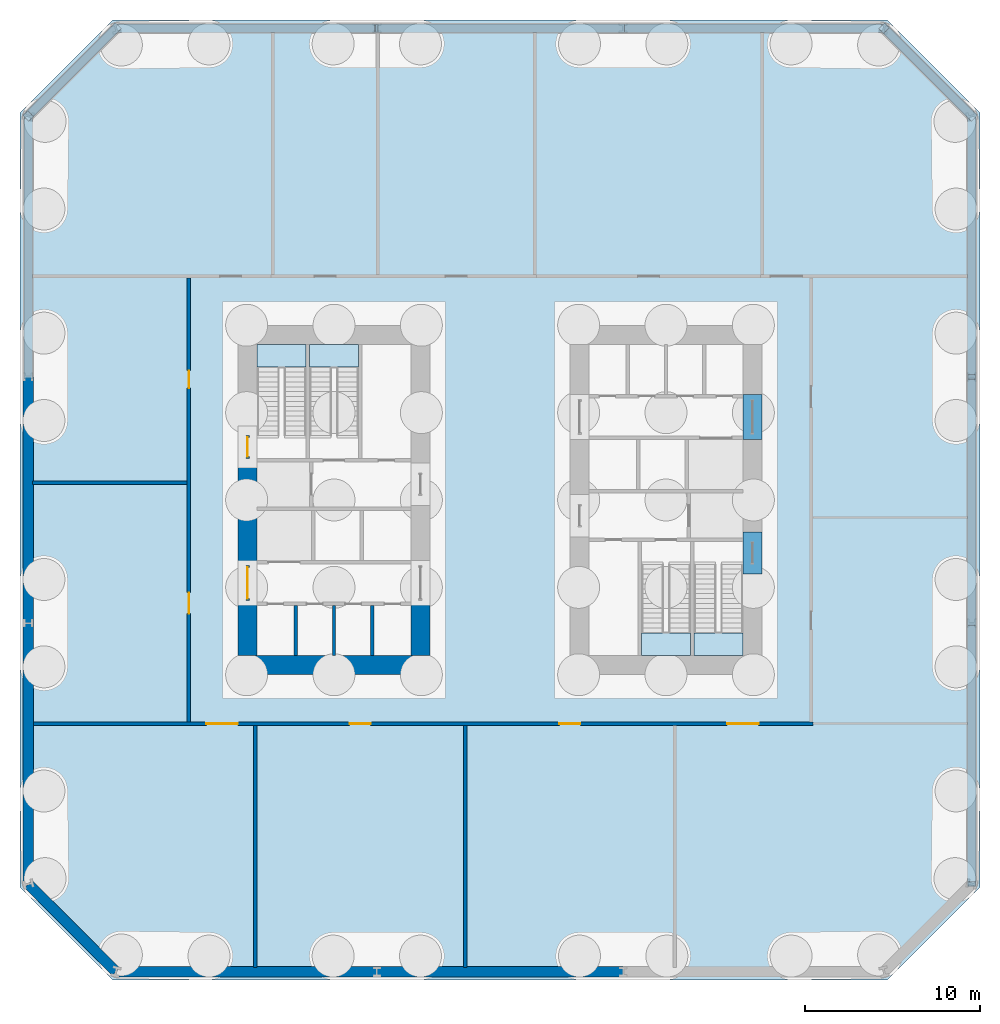
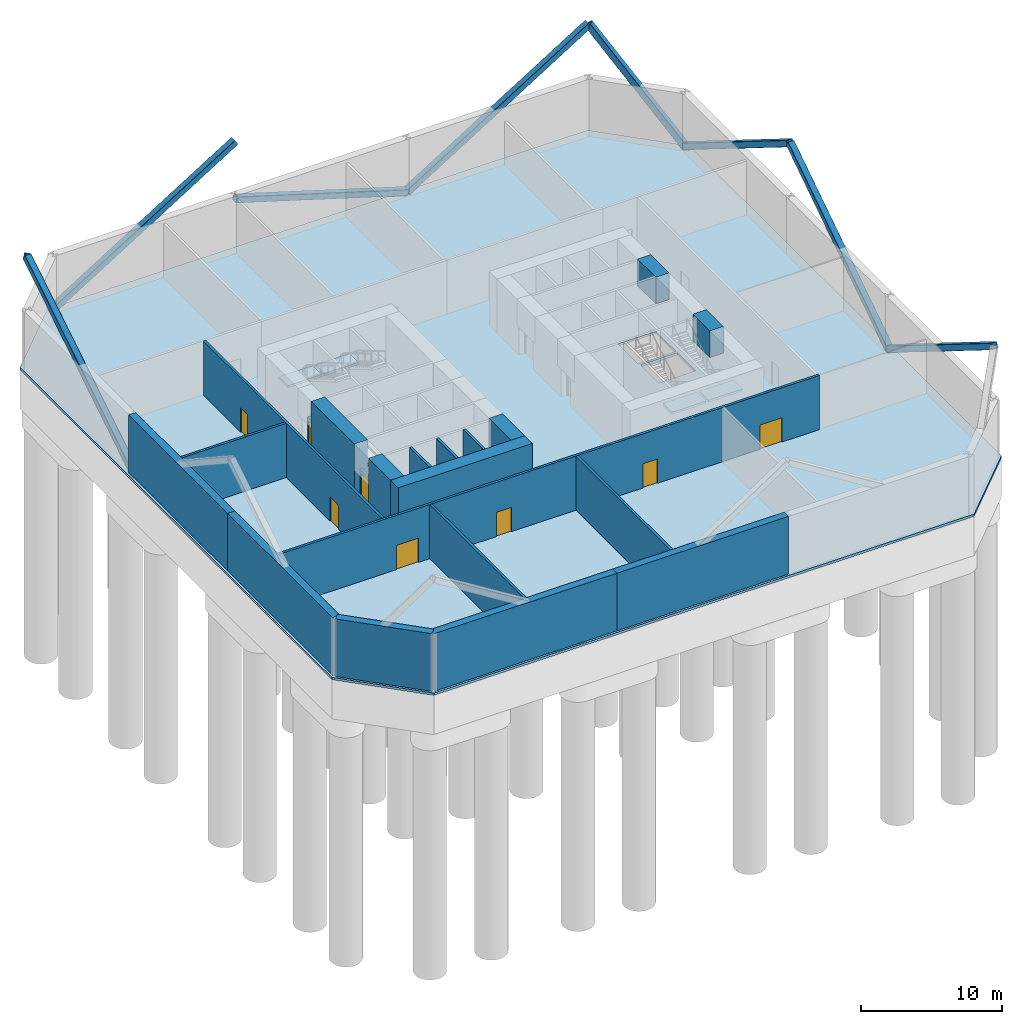
# One storey, part 3 of 7: 19 walls, 9 members, 8 doors, 5 slabs, 2 beams, 8 openings, 4 elements without a shape of their own.
"""IFC4 building model written with IfcOpenShell, lengths in metres."""

from ifc_helpers import new_model, si_unit, direction, frame, frame_2d, origin, origin_2d, place, context, subcontext, project, spatial, polyline, rectangle, hollow_rectangle, outline, extrude, material, layer, layer_set, material_profile, profile_set, type_object, element, fill, aggregate, save


model = new_model("IFC4")

# Units and contexts
model_context = context("Model", 3, precision=1e-05, world=origin(), true_north=direction((0.0, 1.0)))
body_context = subcontext(model_context, "Body", "Model", "MODEL_VIEW")
ifc_project = project(units=[si_unit("LENGTHUNIT", "METRE"), si_unit("AREAUNIT", "SQUARE_METRE"), si_unit("VOLUMEUNIT", "CUBIC_METRE"), si_unit("PLANEANGLEUNIT", "RADIAN"), si_unit("MASSUNIT", "GRAM", prefix="KILO")], contexts=[model_context])

# Site, building, storey
site_placement = place(None, origin())
site = spatial("IfcSite", under=ifc_project, at=site_placement, CompositionType="ELEMENT")
building_placement = place(site_placement, origin())
building = spatial("IfcBuilding", under=site, at=building_placement, Name="Millrace Tower", CompositionType="ELEMENT")
storey_placement = place(building_placement, frame((0.0, 0.0, -10.0)))
storey = spatial("IfcBuildingStorey", under=building, at=storey_placement, Name="B2", CompositionType="ELEMENT", Elevation=-10.0)

# Beams
ifc_material_1 = material(Name="Concrete C80", Category="concrete")
ifc_material_profile_1 = material_profile(ifc_material_1, rectangle(XDim=1.10009765625, YDim=2.300048828125, at=origin_2d()))
ifc_profile_set_1 = profile_set([ifc_material_profile_1], Name="Concrete C80")
beam_type_1 = type_object("IfcBeamType", Name="Coupling beam 1100 x 2300 Concrete C80, 1300 opening", PredefinedType="BEAM", material=ifc_profile_set_1)
beam_1_placement = place(storey_placement, frame((14.449951171875, -1.822509765625, 3.550048828125), z_axis=(0.0, -1.0, 0.0), x_axis=(1.0, 0.0, 0.0)))
element("IfcBeam", 1, at=beam_1_placement, inside=storey, type_object=beam_type_1, Name="Coupling beam E B2", PredefinedType="BEAM", context=body_context, shape_type="SweptSolid", body=[
    extrude(rectangle(XDim=1.10009765625, YDim=2.300048828125, at=origin_2d()), origin(), (0.0, 0.0, 1.0), 2.4150390625),
])
ifc_material_2 = material(Name="Concrete C80", Category="concrete")
ifc_material_profile_2 = material_profile(ifc_material_2, rectangle(XDim=1.10009765625, YDim=2.300048828125, at=origin_2d()))
ifc_profile_set_2 = profile_set([ifc_material_profile_2], Name="Concrete C80")
beam_type_2 = type_object("IfcBeamType", Name="Coupling beam 1100 x 2300 Concrete C80, 2000 opening", PredefinedType="BEAM", material=ifc_profile_set_2)
beam_2_placement = place(storey_placement, frame((14.449951171875, 6.050048828125, 3.550048828125), z_axis=(0.0, -1.0, 0.0), x_axis=(1.0, 0.0, 0.0)))
element("IfcBeam", 2, at=beam_2_placement, inside=storey, type_object=beam_type_2, Name="Coupling beam E B2", PredefinedType="BEAM", context=body_context, shape_type="SweptSolid", body=[
    extrude(rectangle(XDim=1.10009765625, YDim=2.300048828125, at=origin_2d()), origin(), (0.0, 0.0, 1.0), 2.60009765625),
])

# Members
ifc_material_3 = material(Name="Steel ASTM A500 Grade C", Category="steel")
ifc_material_profile_3 = material_profile(ifc_material_3, hollow_rectangle(XDim=0.508056640625, YDim=0.508056640625, WallThickness=0.022216796875, InnerFilletRadius=0.01123046875, OuterFilletRadius=0.033447265625, at=origin_2d()))
ifc_profile_set_3 = profile_set([ifc_material_profile_3], Name="Steel ASTM A500 Grade C")
member_type = type_object("IfcMemberType", Name="Exoskeleton brace HSS20x20x7/8", PredefinedType="BRACE", material=ifc_profile_set_3)
member_1_placement = place(storey_placement, frame((27.0, -7.050048828125, 0.300048828125), z_axis=(0.0, -0.84877020522, 0.528761892283), x_axis=(1.0, 0.0, 0.0)))
element("IfcMember", 3, at=member_1_placement, inside=storey, type_object=member_type, Name="BRC-BASE-B2-06", PredefinedType="BRACE", context=body_context, shape_type="SweptSolid", body=[
    extrude(hollow_rectangle(XDim=0.508056640625, YDim=0.508056640625, WallThickness=0.022216796875, InnerFilletRadius=0.01123046875, OuterFilletRadius=0.033447265625, at=origin_2d()), origin(), (0.0, 0.0, 1.0), 17.58837890625),
])
member_2_placement = place(storey_placement, frame((27.0, -7.050048828125, 0.300048828125), z_axis=(0.0, 0.8347731032, 0.550594102923), x_axis=(-1.0, 0.0, 0.0)))
element("IfcMember", 4, at=member_2_placement, inside=storey, type_object=member_type, Name="BRC-BASE-B2-07", PredefinedType="BRACE", context=body_context, shape_type="SweptSolid", body=[
    extrude(hollow_rectangle(XDim=0.508056640625, YDim=0.508056640625, WallThickness=0.022216796875, InnerFilletRadius=0.01123046875, OuterFilletRadius=0.033447265625, at=origin_2d()), origin(), (0.0, 0.0, 1.0), 16.890869140625),
])
member_3_placement = place(storey_placement, frame((27.0, 21.978515625, 0.300048828125), z_axis=(0.0, -0.84877020522, 0.528761892283), x_axis=(1.0, 0.0, 0.0)))
element("IfcMember", 5, at=member_3_placement, inside=storey, type_object=member_type, Name="BRC-BASE-B2-08", PredefinedType="BRACE", context=body_context, shape_type="SweptSolid", body=[
    extrude(hollow_rectangle(XDim=0.508056640625, YDim=0.508056640625, WallThickness=0.022216796875, InnerFilletRadius=0.01123046875, OuterFilletRadius=0.033447265625, at=origin_2d()), origin(), (0.0, 0.0, 1.0), 17.58837890625),
])
member_4_placement = place(storey_placement, frame((27.0, 21.978515625, 0.300048828125), z_axis=(-0.429137297225, 0.429137297225, 0.794784474094), x_axis=(-0.707106781187, -0.707106781187, 0.0)))
element("IfcMember", 6, at=member_4_placement, inside=storey, type_object=member_type, Name="BRC-BASE-B2-09", PredefinedType="BRACE", context=body_context, shape_type="SweptSolid", body=[
    extrude(hollow_rectangle(XDim=0.508056640625, YDim=0.508056640625, WallThickness=0.022216796875, InnerFilletRadius=0.01123046875, OuterFilletRadius=0.033447265625, at=origin_2d()), origin(), (0.0, 0.0, 1.0), 11.701416015625),
])
member_5_placement = place(storey_placement, frame((7.050048828125, 27.0, 0.300048828125), z_axis=(0.84877020522, 0.0, 0.528761892283), x_axis=(0.0, 1.0, 0.0)))
element("IfcMember", 7, at=member_5_placement, inside=storey, type_object=member_type, Name="BRC-BASE-B2-10", PredefinedType="BRACE", context=body_context, shape_type="SweptSolid", body=[
    extrude(hollow_rectangle(XDim=0.508056640625, YDim=0.508056640625, WallThickness=0.022216796875, InnerFilletRadius=0.01123046875, OuterFilletRadius=0.033447265625, at=origin_2d()), origin(), (0.0, 0.0, 1.0), 17.58837890625),
])
member_6_placement = place(storey_placement, frame((7.050048828125, 27.0, 0.300048828125), z_axis=(-0.95650905519, 0.0, 0.291702635126), x_axis=(0.0, -1.0, 0.0)))
element("IfcMember", 8, at=member_6_placement, inside=storey, type_object=member_type, Name="BRC-BASE-B2-11", PredefinedType="BRACE", context=body_context, shape_type="SweptSolid", body=[
    extrude(hollow_rectangle(XDim=0.508056640625, YDim=0.508056640625, WallThickness=0.022216796875, InnerFilletRadius=0.01123046875, OuterFilletRadius=0.033447265625, at=origin_2d()), origin(), (0.0, 0.0, 1.0), 14.7412109375),
])
member_7_placement = place(storey_placement, frame((-21.978515625, 27.0, 0.300048828125), z_axis=(0.84877020522, 0.0, 0.528761892283), x_axis=(0.0, 1.0, 0.0)))
element("IfcMember", 9, at=member_7_placement, inside=storey, type_object=member_type, Name="BRC-BASE-B2-12", PredefinedType="BRACE", context=body_context, shape_type="SweptSolid", body=[
    extrude(hollow_rectangle(XDim=0.508056640625, YDim=0.508056640625, WallThickness=0.022216796875, InnerFilletRadius=0.01123046875, OuterFilletRadius=0.033447265625, at=origin_2d()), origin(), (0.0, 0.0, 1.0), 17.58837890625),
])
member_8_placement = place(storey_placement, frame((-21.978515625, 27.0, 0.300048828125), z_axis=(-0.429137297225, -0.429137297225, 0.794784474094), x_axis=(0.707106781187, -0.707106781187, 0.0)))
element("IfcMember", 10, at=member_8_placement, inside=storey, type_object=member_type, Name="BRC-BASE-B2-13", PredefinedType="BRACE", context=body_context, shape_type="SweptSolid", body=[
    extrude(hollow_rectangle(XDim=0.508056640625, YDim=0.508056640625, WallThickness=0.022216796875, InnerFilletRadius=0.01123046875, OuterFilletRadius=0.033447265625, at=origin_2d()), origin(), (0.0, 0.0, 1.0), 11.701416015625),
])
member_9_placement = place(storey_placement, frame((-27.0, 7.050048828125, 0.300048828125), z_axis=(0.0, 0.84877020522, 0.528761892283), x_axis=(-1.0, 0.0, 0.0)))
element("IfcMember", 11, at=member_9_placement, inside=storey, type_object=member_type, Name="BRC-BASE-B2-14", PredefinedType="BRACE", context=body_context, shape_type="SweptSolid", body=[
    extrude(hollow_rectangle(XDim=0.508056640625, YDim=0.508056640625, WallThickness=0.022216796875, InnerFilletRadius=0.01123046875, OuterFilletRadius=0.033447265625, at=origin_2d()), origin(), (0.0, 0.0, 1.0), 17.58837890625),
])

# Slab
ifc_material_4 = material(Name="Concrete C35", Category="concrete")
ifc_layer_1 = layer(ifc_material_4, 0.199951171875)
ifc_layer_set_1 = layer_set([ifc_layer_1], Name="Concrete C35")
slab_type_1 = type_object("IfcSlabType", Name="Basement floor slab 200 mm", PredefinedType="BASESLAB", material=ifc_layer_set_1)
slab_1_placement = place(storey_placement, frame((0.0, 0.0, -0.199951171875)))
element("IfcSlab", 12, at=slab_1_placement, inside=storey, type_object=slab_type_1, Name="SL-BASE-B2-FLOOR", PredefinedType="BASESLAB", context=body_context, shape_type="SweptSolid", body=[
    extrude(outline(polyline([(-27.469970703125, -22.173095703125), (-22.173095703125, -27.469970703125), (22.173095703125, -27.469970703125), (27.469970703125, -22.173095703125), (27.469970703125, 22.173095703125), (22.173095703125, 27.469970703125), (-22.173095703125, 27.469970703125), (-27.469970703125, 22.173095703125), (-27.469970703125, -22.173095703125)]), holes=[polyline([(-13.89990234375, -3.449951171875), (-10.800048828125, -3.449951171875), (-10.800048828125, -0.60009765625), (-13.89990234375, -0.60009765625), (-13.89990234375, -3.449951171875)]), polyline([(-13.89990234375, -0.39990234375), (-10.89990234375, -0.39990234375), (-10.89990234375, 2.179931640625), (-13.89990234375, 2.179931640625), (-13.89990234375, -0.39990234375)]), polyline([(10.800048828125, 0.60009765625), (13.89990234375, 0.60009765625), (13.89990234375, 3.449951171875), (10.800048828125, 3.449951171875), (10.800048828125, 0.60009765625)]), polyline([(10.89990234375, -2.179931640625), (13.89990234375, -2.179931640625), (13.89990234375, 0.39990234375), (10.89990234375, 0.39990234375), (10.89990234375, -2.179931640625)])]), origin(), (0.0, 0.0, 1.0), 0.199951171875),
])

# Stair, slab
ifc_material_5 = material(Name="Concrete C35", Category="concrete")
stair_type = type_object("IfcStairType", Name="Exit stair", PredefinedType="HALF_TURN_STAIR", material=ifc_material_5)
placement_1 = place(storey_placement, origin())
stair_1 = element("IfcStair", 13, at=placement_1, inside=storey, type_object=stair_type, Name="Stair 1 W B2", PredefinedType="HALF_TURN_STAIR")
ifc_material_6 = material(Name="Concrete C40", Category="concrete")
ifc_layer_2 = layer(ifc_material_6, 0.199951171875)
ifc_layer_set_2 = layer_set([ifc_layer_2], Name="Concrete C40")
slab_type_2 = type_object("IfcSlabType", Name="Stair landing", PredefinedType="LANDING", material=ifc_layer_set_2)
placement_2 = place(storey_placement, frame((0.0, 0.0, 2.300048828125)))
slab_2 = element("IfcSlab", 14, at=placement_2, type_object=slab_type_2, Name="ST12 landing 1", PredefinedType="LANDING", context=body_context, shape_type="SweptSolid", body=[
    extrude(outline(polyline([(-13.89990234375, 7.60009765625), (-11.10009765625, 7.60009765625), (-11.10009765625, 8.89990234375), (-13.89990234375, 8.89990234375), (-13.89990234375, 7.60009765625)])), origin(), (0.0, 0.0, 1.0), 0.199951171875),
])
aggregate(stair_1, [slab_2])

stair_2 = element("IfcStair", 15, at=placement_1, inside=storey, type_object=stair_type, Name="Stair 2 W B2", PredefinedType="HALF_TURN_STAIR")
slab_3 = element("IfcSlab", 16, at=placement_2, type_object=slab_type_2, Name="ST12 landing 1", PredefinedType="LANDING", context=body_context, shape_type="SweptSolid", body=[
    extrude(outline(polyline([(-10.89990234375, 7.60009765625), (-8.10009765625, 7.60009765625), (-8.10009765625, 8.89990234375), (-10.89990234375, 8.89990234375), (-10.89990234375, 7.60009765625)])), origin(), (0.0, 0.0, 1.0), 0.199951171875),
])
aggregate(stair_2, [slab_3])

stair_3 = element("IfcStair", 17, at=placement_1, inside=storey, type_object=stair_type, Name="Stair 1 E B2", PredefinedType="HALF_TURN_STAIR")
slab_4 = element("IfcSlab", 18, at=placement_2, type_object=slab_type_2, Name="ST12 landing 1", PredefinedType="LANDING", context=body_context, shape_type="SweptSolid", body=[
    extrude(outline(polyline([(11.10009765625, -8.89990234375), (13.89990234375, -8.89990234375), (13.89990234375, -7.60009765625), (11.10009765625, -7.60009765625), (11.10009765625, -8.89990234375)])), origin(), (0.0, 0.0, 1.0), 0.199951171875),
])
aggregate(stair_3, [slab_4])

stair_4 = element("IfcStair", 19, at=placement_1, inside=storey, type_object=stair_type, Name="Stair 2 E B2", PredefinedType="HALF_TURN_STAIR")
slab_5 = element("IfcSlab", 20, at=placement_2, type_object=slab_type_2, Name="ST12 landing 1", PredefinedType="LANDING", context=body_context, shape_type="SweptSolid", body=[
    extrude(outline(polyline([(8.10009765625, -8.89990234375), (10.89990234375, -8.89990234375), (10.89990234375, -7.60009765625), (8.10009765625, -7.60009765625), (8.10009765625, -8.89990234375)])), origin(), (0.0, 0.0, 1.0), 0.199951171875),
])
aggregate(stair_4, [slab_5])

# Walls
ifc_material_7 = material(Name="Concrete C40", Category="concrete")
ifc_layer_3 = layer(ifc_material_7, 0.60009765625)
ifc_layer_set_3 = layer_set([ifc_layer_3], Name="Concrete C40")
wall_type_1 = type_object("IfcWallType", Name="Basement retaining wall 600 mm", PredefinedType="SOLIDWALL", material=ifc_layer_set_3)
wall_1_placement = place(storey_placement, frame((-27.0, -21.978515625, 0.0), z_axis=(0.0, 0.0, 1.0), x_axis=(0.707106781187, -0.707106781187, 0.0)))
element("IfcWall", 21, at=wall_1_placement, inside=storey, type_object=wall_type_1, Name="BW-A-B2-01", PredefinedType="SOLIDWALL", context=body_context, shape_type="SweptSolid", body=[
    extrude(rectangle(XDim=7.1015625, YDim=0.60009765625, at=frame_2d((3.55078125, 0.0))), origin(), (0.0, 0.0, 1.0), 5.0),
])
wall_2_placement = place(storey_placement, frame((-21.978515625, -27.0, 0.0), z_axis=(0.0, 0.0, 1.0), x_axis=(1.0, 0.0, 0.0)))
element("IfcWall", 22, at=wall_2_placement, inside=storey, type_object=wall_type_1, Name="BW-A-B2-02", PredefinedType="SOLIDWALL", context=body_context, shape_type="SweptSolid", body=[
    extrude(rectangle(XDim=14.928466796875, YDim=0.60009765625, at=frame_2d((7.46435546875, 0.0))), origin(), (0.0, 0.0, 1.0), 5.0),
])
wall_3_placement = place(storey_placement, frame((-7.050048828125, -27.0, 0.0), z_axis=(0.0, 0.0, 1.0), x_axis=(1.0, 0.0, 0.0)))
element("IfcWall", 23, at=wall_3_placement, inside=storey, type_object=wall_type_1, Name="BW-A-B2-03", PredefinedType="SOLIDWALL", context=body_context, shape_type="SweptSolid", body=[
    extrude(rectangle(XDim=14.10009765625, YDim=0.60009765625, at=frame_2d((7.050048828125, 0.0))), origin(), (0.0, 0.0, 1.0), 5.0),
])
wall_4_placement = place(storey_placement, frame((-27.0, 7.050048828125, 0.0), z_axis=(0.0, 0.0, 1.0), x_axis=(0.0, -1.0, 0.0)))
element("IfcWall", 24, at=wall_4_placement, inside=storey, type_object=wall_type_1, Name="BW-A-B2-15", PredefinedType="SOLIDWALL", context=body_context, shape_type="SweptSolid", body=[
    extrude(rectangle(XDim=14.10009765625, YDim=0.60009765625, at=frame_2d((7.050048828125, 0.0))), origin(), (0.0, 0.0, 1.0), 5.0),
])
wall_5_placement = place(storey_placement, frame((-27.0, -7.050048828125, 0.0), z_axis=(0.0, 0.0, 1.0), x_axis=(0.0, -1.0, 0.0)))
element("IfcWall", 25, at=wall_5_placement, inside=storey, type_object=wall_type_1, Name="BW-A-B2-16", PredefinedType="SOLIDWALL", context=body_context, shape_type="SweptSolid", body=[
    extrude(rectangle(XDim=14.928466796875, YDim=0.60009765625, at=frame_2d((7.46435546875, 0.0))), origin(), (0.0, 0.0, 1.0), 5.0),
])
ifc_material_8 = material(Name="Concrete C80", Category="concrete")
ifc_layer_4 = layer(ifc_material_8, 1.10009765625)
ifc_layer_set_4 = layer_set([ifc_layer_4], Name="Concrete C80")
wall_type_2 = type_object("IfcWallType", Name="Core wall 1100 Concrete C80", PredefinedType="SHEAR", material=ifc_layer_set_4)
wall_6_placement = place(storey_placement, frame((-15.0, -9.449951171875, 0.0), z_axis=(0.0, 0.0, 1.0), x_axis=(1.0, 0.0, 0.0)))
element("IfcWall", 26, at=wall_6_placement, inside=storey, type_object=wall_type_2, Name="Core wall W B2", PredefinedType="SHEAR", context=body_context, shape_type="SweptSolid", body=[
    extrude(rectangle(XDim=11.0, YDim=1.10009765625, at=frame_2d((5.5, 0.0))), origin(), (0.0, 0.0, 1.0), 4.699951171875),
])
wall_7_placement = place(storey_placement, frame((-14.449951171875, -8.89990234375, 0.0), z_axis=(0.0, 0.0, 1.0), x_axis=(0.0, 1.0, 0.0)))
element("IfcWall", 27, at=wall_7_placement, inside=storey, type_object=wall_type_2, Name="Core wall W B2", PredefinedType="SHEAR", context=body_context, shape_type="SweptSolid", body=[
    extrude(rectangle(XDim=3.14990234375, YDim=1.10009765625, at=frame_2d((1.574951171875, 0.0))), origin(), (0.0, 0.0, 1.0), 4.699951171875),
])
wall_8_placement = place(storey_placement, frame((-14.449951171875, -3.75, 0.0), z_axis=(0.0, 0.0, 1.0), x_axis=(0.0, 1.0, 0.0)))
element("IfcWall", 28, at=wall_8_placement, inside=storey, type_object=wall_type_2, Name="Core wall W B2", PredefinedType="SHEAR", context=body_context, shape_type="SweptSolid", body=[
    extrude(rectangle(XDim=6.1298828125, YDim=1.10009765625, at=frame_2d((3.06494140625, 0.0))), origin(), (0.0, 0.0, 1.0), 4.699951171875),
])
wall_9_placement = place(storey_placement, frame((-4.550048828125, -8.89990234375, 0.0), z_axis=(0.0, 0.0, 1.0), x_axis=(0.0, 1.0, 0.0)))
element("IfcWall", 29, at=wall_9_placement, inside=storey, type_object=wall_type_2, Name="Core wall W B2", PredefinedType="SHEAR", context=body_context, shape_type="SweptSolid", body=[
    extrude(rectangle(XDim=3.14990234375, YDim=1.10009765625, at=frame_2d((1.574951171875, 0.0))), origin(), (0.0, 0.0, 1.0), 4.699951171875),
])

# Wall, openings, doors
ifc_material_9 = material(Name="Masonry partition, fire-rated", Category="masonry")
ifc_layer_5 = layer(ifc_material_9, 0.199951171875)
ifc_layer_set_5 = layer_set([ifc_layer_5], Name="Masonry partition, fire-rated")
wall_type_3 = type_object("IfcWallType", Name="Corridor wall 200", PredefinedType="PARTITIONING", material=ifc_layer_set_5)
wall_10_placement = place(storey_placement, frame((-26.75, -12.800048828125, 0.0), z_axis=(0.0, 0.0, 1.0), x_axis=(1.0, 0.0, 0.0)))
wall_10 = element("IfcWall", 30, at=wall_10_placement, inside=storey, type_object=wall_type_3, Name="Corridor wall B2", PredefinedType="PARTITIONING", context=body_context, shape_type="SweptSolid", body=[
    extrude(rectangle(XDim=44.64990234375, YDim=0.199951171875, at=frame_2d((22.324951171875, 0.0))), origin(), (0.0, 0.0, 1.0), 4.699951171875),
])
opening_1_placement = place(wall_10_placement, frame((9.945068359375, 0.0, 0.0)))
opening_1 = element("IfcOpeningElement", 31, at=opening_1_placement, cuts=wall_10, Name="Opening B2-P006", PredefinedType="OPENING", context=body_context, shape_type="SweptSolid", body=[
    extrude(rectangle(XDim=1.800048828125, YDim=2.10009765625, at=frame_2d((0.89990234375, 1.050048828125))), frame((0.0, 0.10986328125, 0.0), z_axis=(0.0, -1.0, 0.0), x_axis=(1.0, 0.0, 0.0)), (0.0, 0.0, 1.0), 0.219970703125),
])
opening_2_placement = place(wall_10_placement, frame((18.14990234375, 0.0, 0.0)))
opening_2 = element("IfcOpeningElement", 32, at=opening_2_placement, cuts=wall_10, Name="Opening B2-P007", PredefinedType="OPENING", context=body_context, shape_type="SweptSolid", body=[
    extrude(rectangle(XDim=1.199951171875, YDim=2.10009765625, at=frame_2d((0.60009765625, 1.050048828125))), frame((0.0, 0.10986328125, 0.0), z_axis=(0.0, -1.0, 0.0), x_axis=(1.0, 0.0, 0.0)), (0.0, 0.0, 1.0), 0.219970703125),
])
opening_3_placement = place(wall_10_placement, frame((30.14990234375, 0.0, 0.0)))
opening_3 = element("IfcOpeningElement", 33, at=opening_3_placement, cuts=wall_10, Name="Opening B2-P008", PredefinedType="OPENING", context=body_context, shape_type="SweptSolid", body=[
    extrude(rectangle(XDim=1.199951171875, YDim=2.10009765625, at=frame_2d((0.60009765625, 1.050048828125))), frame((0.0, 0.10986328125, 0.0), z_axis=(0.0, -1.0, 0.0), x_axis=(1.0, 0.0, 0.0)), (0.0, 0.0, 1.0), 0.219970703125),
])
opening_4_placement = place(wall_10_placement, frame((39.7548828125, 0.0, 0.0)))
opening_4 = element("IfcOpeningElement", 34, at=opening_4_placement, cuts=wall_10, Name="Opening B2-P009", PredefinedType="OPENING", context=body_context, shape_type="SweptSolid", body=[
    extrude(rectangle(XDim=1.800048828125, YDim=2.10009765625, at=frame_2d((0.89990234375, 1.050048828125))), frame((0.0, 0.10986328125, 0.0), z_axis=(0.0, -1.0, 0.0), x_axis=(1.0, 0.0, 0.0)), (0.0, 0.0, 1.0), 0.219970703125),
])
ifc_material_10 = material(Name="Steel door set, fire-rated", Category="steel")
door_type_1 = type_object("IfcDoorType", Name="Corridor door 1800 x 2100", OperationType="DOUBLE_DOOR_SINGLE_SWING", PredefinedType="DOOR", material=ifc_material_10)
door_1_placement = place(opening_1_placement, frame((1.800048828125, 0.0, 0.0), z_axis=(0.0, 0.0, 1.0), x_axis=(-1.0, 0.0, 0.0)))
door_1 = element("IfcDoor", 35, at=door_1_placement, inside=storey, type_object=door_type_1, Name="Door B2-P006", OperationType="DOUBLE_DOOR_SINGLE_SWING", OverallHeight=2.10009765625, OverallWidth=1.800048828125, PredefinedType="DOOR", context=body_context, shape_type="SweptSolid", body=[
    extrude(rectangle(XDim=1.800048828125, YDim=2.10009765625, at=frame_2d((0.89990234375, 1.050048828125))), frame((0.0, 0.02490234375, 0.0), z_axis=(0.0, -1.0, 0.0), x_axis=(1.0, 0.0, 0.0)), (0.0, 0.0, 1.0), 0.050048828125),
])
fill(opening_1, door_1)
door_2_placement = place(opening_4_placement, frame((1.800048828125, 0.0, 0.0), z_axis=(0.0, 0.0, 1.0), x_axis=(-1.0, 0.0, 0.0)))
door_2 = element("IfcDoor", 36, at=door_2_placement, inside=storey, type_object=door_type_1, Name="Door B2-P009", OperationType="DOUBLE_DOOR_SINGLE_SWING", OverallHeight=2.10009765625, OverallWidth=1.800048828125, PredefinedType="DOOR", context=body_context, shape_type="SweptSolid", body=[
    extrude(rectangle(XDim=1.800048828125, YDim=2.10009765625, at=frame_2d((0.89990234375, 1.050048828125))), frame((0.0, 0.02490234375, 0.0), z_axis=(0.0, -1.0, 0.0), x_axis=(1.0, 0.0, 0.0)), (0.0, 0.0, 1.0), 0.050048828125),
])
fill(opening_4, door_2)
ifc_material_11 = material(Name="Steel door set, fire-rated", Category="steel")
door_type_2 = type_object("IfcDoorType", Name="Plant room door 1200 x 2100", OperationType="SINGLE_SWING_LEFT", PredefinedType="DOOR", material=ifc_material_11)
door_3_placement = place(opening_2_placement, frame((1.199951171875, 0.0, 0.0), z_axis=(0.0, 0.0, 1.0), x_axis=(-1.0, 0.0, 0.0)))
door_3 = element("IfcDoor", 37, at=door_3_placement, inside=storey, type_object=door_type_2, Name="Door B2-P007", OperationType="SINGLE_SWING_RIGHT", OverallHeight=2.10009765625, OverallWidth=1.199951171875, PredefinedType="DOOR", context=body_context, shape_type="SweptSolid", body=[
    extrude(rectangle(XDim=1.199951171875, YDim=2.10009765625, at=frame_2d((0.60009765625, 1.050048828125))), frame((0.0, 0.02490234375, 0.0), z_axis=(0.0, -1.0, 0.0), x_axis=(1.0, 0.0, 0.0)), (0.0, 0.0, 1.0), 0.050048828125),
])
fill(opening_2, door_3)
door_4_placement = place(opening_3_placement, frame((1.199951171875, 0.0, 0.0), z_axis=(0.0, 0.0, 1.0), x_axis=(-1.0, 0.0, 0.0)))
door_4 = element("IfcDoor", 38, at=door_4_placement, inside=storey, type_object=door_type_2, Name="Door B2-P008", OperationType="SINGLE_SWING_LEFT", OverallHeight=2.10009765625, OverallWidth=1.199951171875, PredefinedType="DOOR", context=body_context, shape_type="SweptSolid", body=[
    extrude(rectangle(XDim=1.199951171875, YDim=2.10009765625, at=frame_2d((0.60009765625, 1.050048828125))), frame((0.0, 0.02490234375, 0.0), z_axis=(0.0, -1.0, 0.0), x_axis=(1.0, 0.0, 0.0)), (0.0, 0.0, 1.0), 0.050048828125),
])
fill(opening_3, door_4)

# Walls
wall_11_placement = place(storey_placement, frame((-26.75, 1.0, 0.0), z_axis=(0.0, 0.0, 1.0), x_axis=(1.0, 0.0, 0.0)))
element("IfcWall", 39, at=wall_11_placement, inside=storey, type_object=wall_type_3, Name="Corridor wall B2", PredefinedType="PARTITIONING", context=body_context, shape_type="SweptSolid", body=[
    extrude(rectangle(XDim=8.85009765625, YDim=0.199951171875, at=frame_2d((4.425048828125, 0.0))), origin(), (0.0, 0.0, 1.0), 4.699951171875),
])
for number, where, z_axis, x_axis, name in (
    (40, (-2.0, -26.75, 0.0), (0.0, 0.0, 1.0), (0.0, 1.0, 0.0), "Corridor wall B2"),
    (41, (-14.0, -26.75, 0.0), (0.0, 0.0, 1.0), (0.0, 1.0, 0.0), "Corridor wall B2"),
):
    element("IfcWall", number, at=place(storey_placement, frame(where, z_axis=z_axis, x_axis=x_axis)), inside=storey, type_object=wall_type_3, Name=name, PredefinedType="PARTITIONING", context=body_context, shape_type="SweptSolid", body=[
        extrude(rectangle(XDim=13.85009765625, YDim=0.199951171875, at=frame_2d((6.925048828125, 0.0))), origin(), (0.0, 0.0, 1.0), 4.699951171875),
    ])

# Wall, openings, doors
wall_12_placement = place(storey_placement, frame((-17.800048828125, -12.699951171875, 0.0), z_axis=(0.0, 0.0, 1.0), x_axis=(0.0, 1.0, 0.0)))
wall_12 = element("IfcWall", 42, at=wall_12_placement, inside=storey, type_object=wall_type_3, Name="Corridor wall B2", PredefinedType="PARTITIONING", context=body_context, shape_type="SweptSolid", body=[
    extrude(rectangle(XDim=25.39990234375, YDim=0.199951171875, at=frame_2d((12.699951171875, 0.0))), origin(), (0.0, 0.0, 1.0), 4.699951171875),
])
opening_5_placement = place(wall_12_placement, frame((19.10009765625, 0.0, 0.0)))
opening_5 = element("IfcOpeningElement", 43, at=opening_5_placement, cuts=wall_12, Name="Opening B2-P010", PredefinedType="OPENING", context=body_context, shape_type="SweptSolid", body=[
    extrude(rectangle(XDim=1.0, YDim=2.10009765625, at=frame_2d((0.5, 1.050048828125))), frame((0.0, 0.10986328125, 0.0), z_axis=(0.0, -1.0, 0.0), x_axis=(1.0, 0.0, 0.0)), (0.0, 0.0, 1.0), 0.219970703125),
])
opening_6_placement = place(wall_12_placement, frame((6.199951171875, 0.0, 0.0)))
opening_6 = element("IfcOpeningElement", 44, at=opening_6_placement, cuts=wall_12, Name="Opening B2-P011", PredefinedType="OPENING", context=body_context, shape_type="SweptSolid", body=[
    extrude(rectangle(XDim=1.199951171875, YDim=2.10009765625, at=frame_2d((0.60009765625, 1.050048828125))), frame((0.0, 0.10986328125, 0.0), z_axis=(0.0, -1.0, 0.0), x_axis=(1.0, 0.0, 0.0)), (0.0, 0.0, 1.0), 0.219970703125),
])
ifc_material_12 = material(Name="Steel door set, fire-rated", Category="steel")
door_type_3 = type_object("IfcDoorType", Name="Corridor door 1000 x 2100", OperationType="SINGLE_SWING_LEFT", PredefinedType="DOOR", material=ifc_material_12)
door_5_placement = place(opening_5_placement, origin())
door_5 = element("IfcDoor", 45, at=door_5_placement, inside=storey, type_object=door_type_3, Name="Door B2-P010", OperationType="SINGLE_SWING_RIGHT", OverallHeight=2.10009765625, OverallWidth=1.0, PredefinedType="DOOR", context=body_context, shape_type="SweptSolid", body=[
    extrude(rectangle(XDim=1.0, YDim=2.10009765625, at=frame_2d((0.5, 1.050048828125))), frame((0.0, 0.02490234375, 0.0), z_axis=(0.0, -1.0, 0.0), x_axis=(1.0, 0.0, 0.0)), (0.0, 0.0, 1.0), 0.050048828125),
])
fill(opening_5, door_5)
door_6_placement = place(opening_6_placement, origin())
door_6 = element("IfcDoor", 46, at=door_6_placement, inside=storey, type_object=door_type_2, Name="Door B2-P011", OperationType="SINGLE_SWING_LEFT", OverallHeight=2.10009765625, OverallWidth=1.199951171875, PredefinedType="DOOR", context=body_context, shape_type="SweptSolid", body=[
    extrude(rectangle(XDim=1.199951171875, YDim=2.10009765625, at=frame_2d((0.60009765625, 1.050048828125))), frame((0.0, 0.02490234375, 0.0), z_axis=(0.0, -1.0, 0.0), x_axis=(1.0, 0.0, 0.0)), (0.0, 0.0, 1.0), 0.050048828125),
])
fill(opening_6, door_6)

# Wall, opening, door
ifc_material_13 = material(Name="Masonry partition, fire-rated", Category="masonry")
ifc_layer_6 = layer(ifc_material_13, 0.199951171875)
ifc_layer_set_6 = layer_set([ifc_layer_6], Name="Masonry partition, fire-rated")
wall_type_4 = type_object("IfcWallType", Name="Lobby wall 200", PredefinedType="PARTITIONING", material=ifc_layer_set_6)
wall_13_placement = place(storey_placement, frame((-14.449951171875, -5.75, 0.0), z_axis=(0.0, 0.0, 1.0), x_axis=(0.0, 1.0, 0.0)))
wall_13 = element("IfcWall", 47, at=wall_13_placement, inside=storey, type_object=wall_type_4, Name="Lobby wall W B2", PredefinedType="PARTITIONING", context=body_context, shape_type="SweptSolid", body=[
    extrude(rectangle(XDim=2.0, YDim=0.199951171875, at=frame_2d((1.0, 0.0))), origin(), (0.0, 0.0, 1.0), 2.39990234375),
])
opening_7_placement = place(wall_13_placement, frame((0.10009765625, 0.0, 0.0)))
opening_7 = element("IfcOpeningElement", 48, at=opening_7_placement, cuts=wall_13, Name="Opening B2-C001", PredefinedType="OPENING", context=body_context, shape_type="SweptSolid", body=[
    extrude(rectangle(XDim=1.800048828125, YDim=2.10009765625, at=frame_2d((0.89990234375, 1.050048828125))), frame((0.0, 0.10986328125, 0.0), z_axis=(0.0, -1.0, 0.0), x_axis=(1.0, 0.0, 0.0)), (0.0, 0.0, 1.0), 0.219970703125),
])
ifc_material_14 = material(Name="Steel door, fire-rated", Category="steel")
door_type_4 = type_object("IfcDoorType", Name="Lobby door 1800 x 2100", OperationType="DOUBLE_DOOR_SINGLE_SWING", PredefinedType="DOOR", material=ifc_material_14)
door_7_placement = place(opening_7_placement, origin())
door_7 = element("IfcDoor", 49, at=door_7_placement, inside=storey, type_object=door_type_4, Name="Lobby door B2-C001", OperationType="DOUBLE_DOOR_SINGLE_SWING", OverallHeight=2.10009765625, OverallWidth=1.800048828125, PredefinedType="DOOR", context=body_context, shape_type="SweptSolid", body=[
    extrude(rectangle(XDim=1.800048828125, YDim=2.10009765625, at=frame_2d((0.89990234375, 1.050048828125))), frame((0.0, 0.02490234375, 0.0), z_axis=(0.0, -1.0, 0.0), x_axis=(1.0, 0.0, 0.0)), (0.0, 0.0, 1.0), 0.050048828125),
])
fill(opening_7, door_7)

# Walls
ifc_material_15 = material(Name="Masonry partition, fire-rated", Category="masonry")
ifc_layer_7 = layer(ifc_material_15, 0.199951171875)
ifc_layer_set_7 = layer_set([ifc_layer_7], Name="Masonry partition, fire-rated")
wall_type_5 = type_object("IfcWallType", Name="Room partition 200", PredefinedType="PARTITIONING", material=ifc_layer_set_7)
for number, where, z_axis, x_axis, name in (
    (50, (-11.699951171875, -8.89990234375, 0.0), (0.0, 0.0, 1.0), (0.0, 1.0, 0.0), "Room partition W B2"),
    (51, (-9.5, -8.89990234375, 0.0), (0.0, 0.0, 1.0), (0.0, 1.0, 0.0), "Room partition W B2"),
    (52, (-7.300048828125, -8.89990234375, 0.0), (0.0, 0.0, 1.0), (0.0, 1.0, 0.0), "Room partition W B2"),
):
    element("IfcWall", number, at=place(storey_placement, frame(where, z_axis=z_axis, x_axis=x_axis)), inside=storey, type_object=wall_type_5, Name=name, PredefinedType="PARTITIONING", context=body_context, shape_type="SweptSolid", body=[
        extrude(rectangle(XDim=2.849853515625, YDim=0.199951171875, at=frame_2d((1.4248046875, 0.0))), origin(), (0.0, 0.0, 1.0), 4.699951171875),
    ])

# Wall, opening, door
ifc_material_16 = material(Name="Concrete C40", Category="concrete")
ifc_layer_8 = layer(ifc_material_16, 0.199951171875)
ifc_layer_set_8 = layer_set([ifc_layer_8], Name="Concrete C40")
wall_type_6 = type_object("IfcWallType", Name="Stair enclosure wall 200 Concrete C40", PredefinedType="SHEAR", material=ifc_layer_set_8)
wall_14_placement = place(storey_placement, frame((-14.449951171875, 2.3798828125, 0.0), z_axis=(0.0, 0.0, 1.0), x_axis=(0.0, 1.0, 0.0)))
wall_14 = element("IfcWall", 53, at=wall_14_placement, inside=storey, type_object=wall_type_6, Name="Stair enclosure wall W B2", PredefinedType="SHEAR", context=body_context, shape_type="SweptSolid", body=[
    extrude(rectangle(XDim=1.300048828125, YDim=0.199951171875, at=frame_2d((0.64990234375, 0.0))), origin(), (0.0, 0.0, 1.0), 2.39990234375),
])
opening_8_placement = place(wall_14_placement, frame((0.10009765625, 0.0, 0.0)))
opening_8 = element("IfcOpeningElement", 54, at=opening_8_placement, cuts=wall_14, Name="Opening B2-C002", PredefinedType="OPENING", context=body_context, shape_type="SweptSolid", body=[
    extrude(rectangle(XDim=1.10009765625, YDim=2.10009765625, at=frame_2d((0.550048828125, 1.050048828125))), frame((0.0, 0.10986328125, 0.0), z_axis=(0.0, -1.0, 0.0), x_axis=(1.0, 0.0, 0.0)), (0.0, 0.0, 1.0), 0.219970703125),
])
ifc_material_17 = material(Name="Steel door, fire-rated", Category="steel")
door_type_5 = type_object("IfcDoorType", Name="Stair door 1100 x 2100", OperationType="SINGLE_SWING_LEFT", PredefinedType="DOOR", material=ifc_material_17)
door_8_placement = place(opening_8_placement, origin())
door_8 = element("IfcDoor", 55, at=door_8_placement, inside=storey, type_object=door_type_5, Name="Stair door B2-C002", OperationType="SINGLE_SWING_LEFT", OverallHeight=2.10009765625, OverallWidth=1.10009765625, PredefinedType="DOOR", context=body_context, shape_type="SweptSolid", body=[
    extrude(rectangle(XDim=1.10009765625, YDim=2.10009765625, at=frame_2d((0.550048828125, 1.050048828125))), frame((0.0, 0.02490234375, 0.0), z_axis=(0.0, -1.0, 0.0), x_axis=(1.0, 0.0, 0.0)), (0.0, 0.0, 1.0), 0.050048828125),
])
fill(opening_8, door_8)

save(model, "model.ifc")
